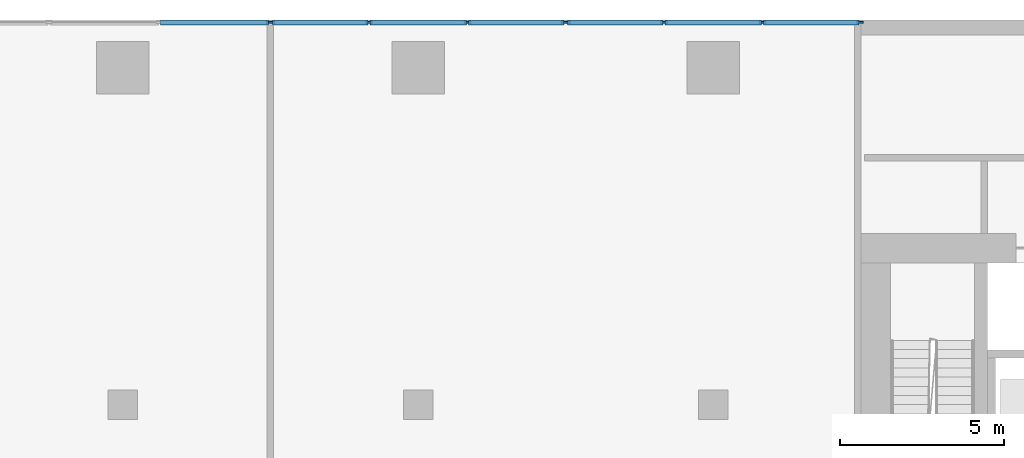
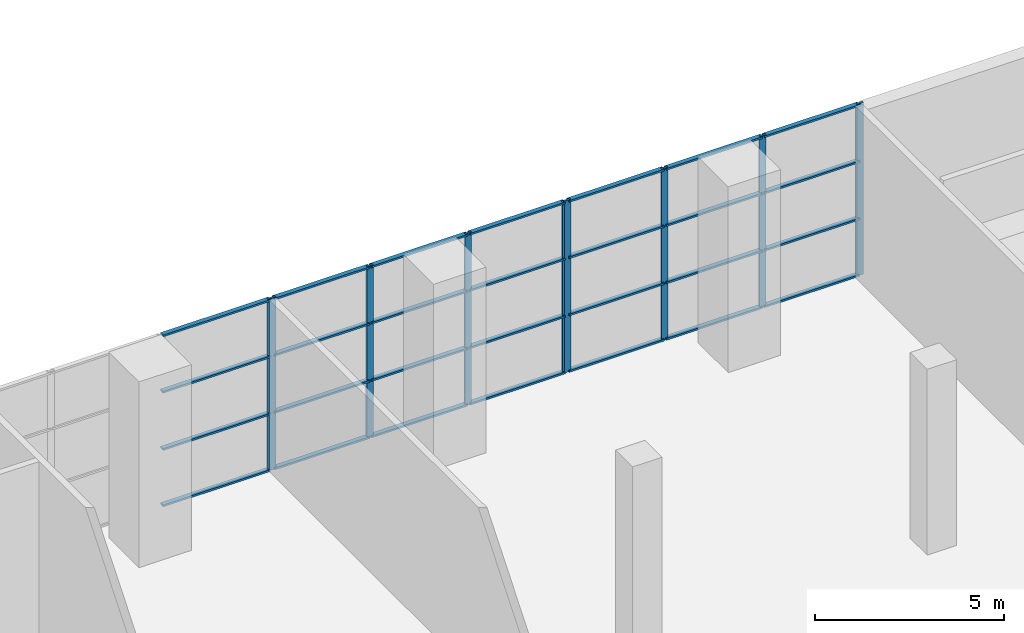
# One storey, part 6 of 27: 37 members, 3 elements without a shape of their own.
"""IFC4 building model written with IfcOpenShell, lengths in metres."""

from ifc_helpers import new_model, si_unit, direction, frame, origin, origin_2d, place, context, subcontext, project, spatial, rectangle, extrude, material, material_profile, profile_set, type_object, element, aggregate, save


model = new_model("IFC4")

# Units and contexts
model_context = context("Model", 3, precision=1e-05, world=origin(), true_north=direction((0.0, 1.0)))
body_context = subcontext(model_context, "Body", "Model", "MODEL_VIEW")
ifc_project = project(units=[si_unit("LENGTHUNIT", "METRE"), si_unit("AREAUNIT", "SQUARE_METRE"), si_unit("VOLUMEUNIT", "CUBIC_METRE"), si_unit("PLANEANGLEUNIT", "RADIAN"), si_unit("MASSUNIT", "GRAM", prefix="KILO")], contexts=[model_context])

# Site, building, storey
site_placement = place(None, origin())
site = spatial("IfcSite", under=ifc_project, at=site_placement, CompositionType="ELEMENT")
building_placement = place(site_placement, origin())
building = spatial("IfcBuilding", under=site, at=building_placement, Name="Kajstack Hotel Tower", CompositionType="ELEMENT")
storey_placement = place(building_placement, frame((0.0, 0.0, 11.0)))
storey = spatial("IfcBuildingStorey", under=building, at=storey_placement, Name="L01", CompositionType="ELEMENT", Elevation=11.0)

# Curtain wall, members
ifc_material_1 = material(Name="Aluminium-framed curtain wall, low-iron glass", Category="aluminium")
curtain_wall_type = type_object("IfcCurtainWallType", Name="CW-LOBBY", PredefinedType="NOTDEFINED", material=ifc_material_1)
curtain_wall_1_placement = place(storey_placement, origin())
curtain_wall_1 = element("IfcCurtainWall", 1, at=curtain_wall_1_placement, inside=storey, type_object=curtain_wall_type, Name="Curtain wall CU1 L01-11-02-0", PredefinedType="NOTDEFINED")
ifc_material_2 = material(Name="Aluminium", Category="aluminium")
ifc_material_profile_1 = material_profile(ifc_material_2, rectangle(XDim=0.06005859375, YDim=0.199951171875, at=origin_2d()), Name="Aluminium mullion 60 x 200")
ifc_profile_set_1 = profile_set([ifc_material_profile_1], Name="Aluminium")
member_type_1 = type_object("IfcMemberType", Name="CW-M-LOBBY", PredefinedType="MULLION", material=ifc_profile_set_1)
member_1_placement = place(storey_placement, frame((13.469970703125, 21.925048828125, 0.0), z_axis=(0.0, 0.0, 1.0), x_axis=(0.0, -1.0, 0.0)))
member_1 = element("IfcMember", 2, at=member_1_placement, type_object=member_type_1, Name="CU1 mullion 1", PredefinedType="MULLION", context=body_context, shape_type="SweptSolid", body=[
    extrude(rectangle(XDim=0.06005859375, YDim=0.199951171875, at=origin_2d()), origin(), (0.0, 0.0, 1.0), 5.550048828125),
])
member_2_placement = place(storey_placement, frame((10.5, 21.925048828125, 0.0), z_axis=(0.0, 0.0, 1.0), x_axis=(0.0, -1.0, 0.0)))
member_2 = element("IfcMember", 3, at=member_2_placement, type_object=member_type_1, Name="CU1 mullion 2", PredefinedType="MULLION", context=body_context, shape_type="SweptSolid", body=[
    extrude(rectangle(XDim=0.06005859375, YDim=0.199951171875, at=origin_2d()), origin(), (0.0, 0.0, 1.0), 5.550048828125),
])
member_3_placement = place(storey_placement, frame((7.5, 21.925048828125, 0.0), z_axis=(0.0, 0.0, 1.0), x_axis=(0.0, -1.0, 0.0)))
member_3 = element("IfcMember", 4, at=member_3_placement, type_object=member_type_1, Name="CU1 mullion 3", PredefinedType="MULLION", context=body_context, shape_type="SweptSolid", body=[
    extrude(rectangle(XDim=0.06005859375, YDim=0.199951171875, at=origin_2d()), origin(), (0.0, 0.0, 1.0), 5.550048828125),
])
member_4_placement = place(storey_placement, frame((4.530029296875, 21.925048828125, 0.0), z_axis=(0.0, 0.0, 1.0), x_axis=(0.0, -1.0, 0.0)))
member_4 = element("IfcMember", 5, at=member_4_placement, type_object=member_type_1, Name="CU1 mullion 4", PredefinedType="MULLION", context=body_context, shape_type="SweptSolid", body=[
    extrude(rectangle(XDim=0.06005859375, YDim=0.199951171875, at=origin_2d()), origin(), (0.0, 0.0, 1.0), 5.550048828125),
])

curtain_wall_2_placement = place(storey_placement, origin())
curtain_wall_2 = element("IfcCurtainWall", 6, at=curtain_wall_2_placement, inside=storey, type_object=curtain_wall_type, Name="Curtain wall CU1 L01-11-02-1", PredefinedType="NOTDEFINED")
member_5_placement = place(storey_placement, frame((4.469970703125, 21.925048828125, 0.0), z_axis=(0.0, 0.0, 1.0), x_axis=(0.0, -1.0, 0.0)))
member_5 = element("IfcMember", 7, at=member_5_placement, type_object=member_type_1, Name="CU1 mullion 1", PredefinedType="MULLION", context=body_context, shape_type="SweptSolid", body=[
    extrude(rectangle(XDim=0.06005859375, YDim=0.199951171875, at=origin_2d()), origin(), (0.0, 0.0, 1.0), 5.550048828125),
])
member_6_placement = place(storey_placement, frame((1.5, 21.925048828125, 0.0), z_axis=(0.0, 0.0, 1.0), x_axis=(0.0, -1.0, 0.0)))
member_6 = element("IfcMember", 8, at=member_6_placement, type_object=member_type_1, Name="CU1 mullion 2", PredefinedType="MULLION", context=body_context, shape_type="SweptSolid", body=[
    extrude(rectangle(XDim=0.06005859375, YDim=0.199951171875, at=origin_2d()), origin(), (0.0, 0.0, 1.0), 5.550048828125),
])
member_7_placement = place(storey_placement, frame((-1.5, 21.925048828125, 0.0), z_axis=(0.0, 0.0, 1.0), x_axis=(0.0, -1.0, 0.0)))
member_7 = element("IfcMember", 9, at=member_7_placement, type_object=member_type_1, Name="CU1 mullion 3", PredefinedType="MULLION", context=body_context, shape_type="SweptSolid", body=[
    extrude(rectangle(XDim=0.06005859375, YDim=0.199951171875, at=origin_2d()), origin(), (0.0, 0.0, 1.0), 5.550048828125),
])
member_8_placement = place(storey_placement, frame((-4.469970703125, 21.925048828125, 0.0), z_axis=(0.0, 0.0, 1.0), x_axis=(0.0, -1.0, 0.0)))
member_8 = element("IfcMember", 10, at=member_8_placement, type_object=member_type_1, Name="CU1 mullion 4", PredefinedType="MULLION", context=body_context, shape_type="SweptSolid", body=[
    extrude(rectangle(XDim=0.06005859375, YDim=0.199951171875, at=origin_2d()), origin(), (0.0, 0.0, 1.0), 5.550048828125),
])

# Curtain wall, member
curtain_wall_3_placement = place(storey_placement, origin())
curtain_wall_3 = element("IfcCurtainWall", 11, at=curtain_wall_3_placement, inside=storey, type_object=curtain_wall_type, Name="Curtain wall CU1 L01-11-02-2", PredefinedType="NOTDEFINED")
member_9_placement = place(storey_placement, frame((-4.530029296875, 21.925048828125, 0.0), z_axis=(0.0, 0.0, 1.0), x_axis=(0.0, -1.0, 0.0)))
member_9 = element("IfcMember", 12, at=member_9_placement, type_object=member_type_1, Name="CU1 mullion 1", PredefinedType="MULLION", context=body_context, shape_type="SweptSolid", body=[
    extrude(rectangle(XDim=0.06005859375, YDim=0.199951171875, at=origin_2d()), origin(), (0.0, 0.0, 1.0), 5.550048828125),
])

# Member
ifc_material_profile_2 = material_profile(ifc_material_2, rectangle(XDim=0.139892578125, YDim=0.06005859375, at=origin_2d()), Name="Aluminium transom 140 x 60")
ifc_profile_set_2 = profile_set([ifc_material_profile_2], Name="Aluminium")
member_type_2 = type_object("IfcMemberType", Name="CW-T-LOBBY", PredefinedType="USERDEFINED", material=ifc_profile_set_2)
member_10_placement = place(storey_placement, frame((13.43994140625, 21.925048828125, 0.030029296875), z_axis=(-1.0, 0.0, 0.0), x_axis=(0.0, -1.0, 0.0)))
member_10 = element("IfcMember", 13, at=member_10_placement, type_object=member_type_2, Name="CU1 transom 1.1", ObjectType="TRANSOM", PredefinedType="USERDEFINED", context=body_context, shape_type="SweptSolid", body=[
    extrude(rectangle(XDim=0.139892578125, YDim=0.06005859375, at=origin_2d()), origin(), (0.0, 0.0, 1.0), 2.909912109375),
])

member_11_placement = place(storey_placement, frame((13.43994140625, 21.925048828125, 1.85009765625), z_axis=(-1.0, 0.0, 0.0), x_axis=(0.0, -1.0, 0.0)))
member_11 = element("IfcMember", 14, at=member_11_placement, type_object=member_type_2, Name="CU1 transom 1.2", ObjectType="TRANSOM", PredefinedType="USERDEFINED", context=body_context, shape_type="SweptSolid", body=[
    extrude(rectangle(XDim=0.139892578125, YDim=0.06005859375, at=origin_2d()), origin(), (0.0, 0.0, 1.0), 2.909912109375),
])

member_12_placement = place(storey_placement, frame((13.43994140625, 21.925048828125, 3.699951171875), z_axis=(-1.0, 0.0, 0.0), x_axis=(0.0, -1.0, 0.0)))
member_12 = element("IfcMember", 15, at=member_12_placement, type_object=member_type_2, Name="CU1 transom 1.3", ObjectType="TRANSOM", PredefinedType="USERDEFINED", context=body_context, shape_type="SweptSolid", body=[
    extrude(rectangle(XDim=0.139892578125, YDim=0.06005859375, at=origin_2d()), origin(), (0.0, 0.0, 1.0), 2.909912109375),
])

member_13_placement = place(storey_placement, frame((13.43994140625, 21.925048828125, 5.52001953125), z_axis=(-1.0, 0.0, 0.0), x_axis=(0.0, -1.0, 0.0)))
member_13 = element("IfcMember", 16, at=member_13_placement, type_object=member_type_2, Name="CU1 transom 1.4", ObjectType="TRANSOM", PredefinedType="USERDEFINED", context=body_context, shape_type="SweptSolid", body=[
    extrude(rectangle(XDim=0.139892578125, YDim=0.06005859375, at=origin_2d()), origin(), (0.0, 0.0, 1.0), 2.909912109375),
])

member_14_placement = place(storey_placement, frame((10.469970703125, 21.925048828125, 0.030029296875), z_axis=(-1.0, 0.0, 0.0), x_axis=(0.0, -1.0, 0.0)))
member_14 = element("IfcMember", 17, at=member_14_placement, type_object=member_type_2, Name="CU1 transom 2.1", ObjectType="TRANSOM", PredefinedType="USERDEFINED", context=body_context, shape_type="SweptSolid", body=[
    extrude(rectangle(XDim=0.139892578125, YDim=0.06005859375, at=origin_2d()), origin(), (0.0, 0.0, 1.0), 2.93994140625),
])

member_15_placement = place(storey_placement, frame((10.469970703125, 21.925048828125, 1.85009765625), z_axis=(-1.0, 0.0, 0.0), x_axis=(0.0, -1.0, 0.0)))
member_15 = element("IfcMember", 18, at=member_15_placement, type_object=member_type_2, Name="CU1 transom 2.2", ObjectType="TRANSOM", PredefinedType="USERDEFINED", context=body_context, shape_type="SweptSolid", body=[
    extrude(rectangle(XDim=0.139892578125, YDim=0.06005859375, at=origin_2d()), origin(), (0.0, 0.0, 1.0), 2.93994140625),
])

member_16_placement = place(storey_placement, frame((10.469970703125, 21.925048828125, 3.699951171875), z_axis=(-1.0, 0.0, 0.0), x_axis=(0.0, -1.0, 0.0)))
member_16 = element("IfcMember", 19, at=member_16_placement, type_object=member_type_2, Name="CU1 transom 2.3", ObjectType="TRANSOM", PredefinedType="USERDEFINED", context=body_context, shape_type="SweptSolid", body=[
    extrude(rectangle(XDim=0.139892578125, YDim=0.06005859375, at=origin_2d()), origin(), (0.0, 0.0, 1.0), 2.93994140625),
])

member_17_placement = place(storey_placement, frame((10.469970703125, 21.925048828125, 5.52001953125), z_axis=(-1.0, 0.0, 0.0), x_axis=(0.0, -1.0, 0.0)))
member_17 = element("IfcMember", 20, at=member_17_placement, type_object=member_type_2, Name="CU1 transom 2.4", ObjectType="TRANSOM", PredefinedType="USERDEFINED", context=body_context, shape_type="SweptSolid", body=[
    extrude(rectangle(XDim=0.139892578125, YDim=0.06005859375, at=origin_2d()), origin(), (0.0, 0.0, 1.0), 2.93994140625),
])

member_18_placement = place(storey_placement, frame((7.469970703125, 21.925048828125, 0.030029296875), z_axis=(-1.0, 0.0, 0.0), x_axis=(0.0, -1.0, 0.0)))
member_18 = element("IfcMember", 21, at=member_18_placement, type_object=member_type_2, Name="CU1 transom 3.1", ObjectType="TRANSOM", PredefinedType="USERDEFINED", context=body_context, shape_type="SweptSolid", body=[
    extrude(rectangle(XDim=0.139892578125, YDim=0.06005859375, at=origin_2d()), origin(), (0.0, 0.0, 1.0), 2.909912109375),
])

member_19_placement = place(storey_placement, frame((7.469970703125, 21.925048828125, 1.85009765625), z_axis=(-1.0, 0.0, 0.0), x_axis=(0.0, -1.0, 0.0)))
member_19 = element("IfcMember", 22, at=member_19_placement, type_object=member_type_2, Name="CU1 transom 3.2", ObjectType="TRANSOM", PredefinedType="USERDEFINED", context=body_context, shape_type="SweptSolid", body=[
    extrude(rectangle(XDim=0.139892578125, YDim=0.06005859375, at=origin_2d()), origin(), (0.0, 0.0, 1.0), 2.909912109375),
])

member_20_placement = place(storey_placement, frame((7.469970703125, 21.925048828125, 3.699951171875), z_axis=(-1.0, 0.0, 0.0), x_axis=(0.0, -1.0, 0.0)))
member_20 = element("IfcMember", 23, at=member_20_placement, type_object=member_type_2, Name="CU1 transom 3.3", ObjectType="TRANSOM", PredefinedType="USERDEFINED", context=body_context, shape_type="SweptSolid", body=[
    extrude(rectangle(XDim=0.139892578125, YDim=0.06005859375, at=origin_2d()), origin(), (0.0, 0.0, 1.0), 2.909912109375),
])

member_21_placement = place(storey_placement, frame((7.469970703125, 21.925048828125, 5.52001953125), z_axis=(-1.0, 0.0, 0.0), x_axis=(0.0, -1.0, 0.0)))
member_21 = element("IfcMember", 24, at=member_21_placement, type_object=member_type_2, Name="CU1 transom 3.4", ObjectType="TRANSOM", PredefinedType="USERDEFINED", context=body_context, shape_type="SweptSolid", body=[
    extrude(rectangle(XDim=0.139892578125, YDim=0.06005859375, at=origin_2d()), origin(), (0.0, 0.0, 1.0), 2.909912109375),
])

aggregate(curtain_wall_1, [member_1, member_2, member_3, member_4, member_10, member_11, member_12, member_13, member_14, member_15, member_16, member_17, member_18, member_19, member_20, member_21])

member_22_placement = place(storey_placement, frame((4.43994140625, 21.925048828125, 0.030029296875), z_axis=(-1.0, 0.0, 0.0), x_axis=(0.0, -1.0, 0.0)))
member_22 = element("IfcMember", 25, at=member_22_placement, type_object=member_type_2, Name="CU1 transom 1.1", ObjectType="TRANSOM", PredefinedType="USERDEFINED", context=body_context, shape_type="SweptSolid", body=[
    extrude(rectangle(XDim=0.139892578125, YDim=0.06005859375, at=origin_2d()), origin(), (0.0, 0.0, 1.0), 2.909912109375),
])

member_23_placement = place(storey_placement, frame((4.43994140625, 21.925048828125, 1.85009765625), z_axis=(-1.0, 0.0, 0.0), x_axis=(0.0, -1.0, 0.0)))
member_23 = element("IfcMember", 26, at=member_23_placement, type_object=member_type_2, Name="CU1 transom 1.2", ObjectType="TRANSOM", PredefinedType="USERDEFINED", context=body_context, shape_type="SweptSolid", body=[
    extrude(rectangle(XDim=0.139892578125, YDim=0.06005859375, at=origin_2d()), origin(), (0.0, 0.0, 1.0), 2.909912109375),
])

member_24_placement = place(storey_placement, frame((4.43994140625, 21.925048828125, 3.699951171875), z_axis=(-1.0, 0.0, 0.0), x_axis=(0.0, -1.0, 0.0)))
member_24 = element("IfcMember", 27, at=member_24_placement, type_object=member_type_2, Name="CU1 transom 1.3", ObjectType="TRANSOM", PredefinedType="USERDEFINED", context=body_context, shape_type="SweptSolid", body=[
    extrude(rectangle(XDim=0.139892578125, YDim=0.06005859375, at=origin_2d()), origin(), (0.0, 0.0, 1.0), 2.909912109375),
])

member_25_placement = place(storey_placement, frame((4.43994140625, 21.925048828125, 5.52001953125), z_axis=(-1.0, 0.0, 0.0), x_axis=(0.0, -1.0, 0.0)))
member_25 = element("IfcMember", 28, at=member_25_placement, type_object=member_type_2, Name="CU1 transom 1.4", ObjectType="TRANSOM", PredefinedType="USERDEFINED", context=body_context, shape_type="SweptSolid", body=[
    extrude(rectangle(XDim=0.139892578125, YDim=0.06005859375, at=origin_2d()), origin(), (0.0, 0.0, 1.0), 2.909912109375),
])

member_26_placement = place(storey_placement, frame((1.469970703125, 21.925048828125, 0.030029296875), z_axis=(-1.0, 0.0, 0.0), x_axis=(0.0, -1.0, 0.0)))
member_26 = element("IfcMember", 29, at=member_26_placement, type_object=member_type_2, Name="CU1 transom 2.1", ObjectType="TRANSOM", PredefinedType="USERDEFINED", context=body_context, shape_type="SweptSolid", body=[
    extrude(rectangle(XDim=0.139892578125, YDim=0.06005859375, at=origin_2d()), origin(), (0.0, 0.0, 1.0), 2.93994140625),
])

member_27_placement = place(storey_placement, frame((1.469970703125, 21.925048828125, 1.85009765625), z_axis=(-1.0, 0.0, 0.0), x_axis=(0.0, -1.0, 0.0)))
member_27 = element("IfcMember", 30, at=member_27_placement, type_object=member_type_2, Name="CU1 transom 2.2", ObjectType="TRANSOM", PredefinedType="USERDEFINED", context=body_context, shape_type="SweptSolid", body=[
    extrude(rectangle(XDim=0.139892578125, YDim=0.06005859375, at=origin_2d()), origin(), (0.0, 0.0, 1.0), 2.93994140625),
])

member_28_placement = place(storey_placement, frame((1.469970703125, 21.925048828125, 3.699951171875), z_axis=(-1.0, 0.0, 0.0), x_axis=(0.0, -1.0, 0.0)))
member_28 = element("IfcMember", 31, at=member_28_placement, type_object=member_type_2, Name="CU1 transom 2.3", ObjectType="TRANSOM", PredefinedType="USERDEFINED", context=body_context, shape_type="SweptSolid", body=[
    extrude(rectangle(XDim=0.139892578125, YDim=0.06005859375, at=origin_2d()), origin(), (0.0, 0.0, 1.0), 2.93994140625),
])

member_29_placement = place(storey_placement, frame((1.469970703125, 21.925048828125, 5.52001953125), z_axis=(-1.0, 0.0, 0.0), x_axis=(0.0, -1.0, 0.0)))
member_29 = element("IfcMember", 32, at=member_29_placement, type_object=member_type_2, Name="CU1 transom 2.4", ObjectType="TRANSOM", PredefinedType="USERDEFINED", context=body_context, shape_type="SweptSolid", body=[
    extrude(rectangle(XDim=0.139892578125, YDim=0.06005859375, at=origin_2d()), origin(), (0.0, 0.0, 1.0), 2.93994140625),
])

member_30_placement = place(storey_placement, frame((-1.530029296875, 21.925048828125, 0.030029296875), z_axis=(-1.0, 0.0, 0.0), x_axis=(0.0, -1.0, 0.0)))
member_30 = element("IfcMember", 33, at=member_30_placement, type_object=member_type_2, Name="CU1 transom 3.1", ObjectType="TRANSOM", PredefinedType="USERDEFINED", context=body_context, shape_type="SweptSolid", body=[
    extrude(rectangle(XDim=0.139892578125, YDim=0.06005859375, at=origin_2d()), origin(), (0.0, 0.0, 1.0), 2.909912109375),
])

member_31_placement = place(storey_placement, frame((-1.530029296875, 21.925048828125, 1.85009765625), z_axis=(-1.0, 0.0, 0.0), x_axis=(0.0, -1.0, 0.0)))
member_31 = element("IfcMember", 34, at=member_31_placement, type_object=member_type_2, Name="CU1 transom 3.2", ObjectType="TRANSOM", PredefinedType="USERDEFINED", context=body_context, shape_type="SweptSolid", body=[
    extrude(rectangle(XDim=0.139892578125, YDim=0.06005859375, at=origin_2d()), origin(), (0.0, 0.0, 1.0), 2.909912109375),
])

member_32_placement = place(storey_placement, frame((-1.530029296875, 21.925048828125, 3.699951171875), z_axis=(-1.0, 0.0, 0.0), x_axis=(0.0, -1.0, 0.0)))
member_32 = element("IfcMember", 35, at=member_32_placement, type_object=member_type_2, Name="CU1 transom 3.3", ObjectType="TRANSOM", PredefinedType="USERDEFINED", context=body_context, shape_type="SweptSolid", body=[
    extrude(rectangle(XDim=0.139892578125, YDim=0.06005859375, at=origin_2d()), origin(), (0.0, 0.0, 1.0), 2.909912109375),
])

member_33_placement = place(storey_placement, frame((-1.530029296875, 21.925048828125, 5.52001953125), z_axis=(-1.0, 0.0, 0.0), x_axis=(0.0, -1.0, 0.0)))
member_33 = element("IfcMember", 36, at=member_33_placement, type_object=member_type_2, Name="CU1 transom 3.4", ObjectType="TRANSOM", PredefinedType="USERDEFINED", context=body_context, shape_type="SweptSolid", body=[
    extrude(rectangle(XDim=0.139892578125, YDim=0.06005859375, at=origin_2d()), origin(), (0.0, 0.0, 1.0), 2.909912109375),
])

aggregate(curtain_wall_2, [member_5, member_6, member_7, member_8, member_22, member_23, member_24, member_25, member_26, member_27, member_28, member_29, member_30, member_31, member_32, member_33])

member_34_placement = place(storey_placement, frame((-4.56005859375, 21.925048828125, 0.030029296875), z_axis=(-1.0, 0.0, 0.0), x_axis=(0.0, -1.0, 0.0)))
member_34 = element("IfcMember", 37, at=member_34_placement, type_object=member_type_2, Name="CU1 transom 1.1", ObjectType="TRANSOM", PredefinedType="USERDEFINED", context=body_context, shape_type="SweptSolid", body=[
    extrude(rectangle(XDim=0.139892578125, YDim=0.06005859375, at=origin_2d()), origin(), (0.0, 0.0, 1.0), 3.284912109375),
])

member_35_placement = place(storey_placement, frame((-4.56005859375, 21.925048828125, 1.85009765625), z_axis=(-1.0, 0.0, 0.0), x_axis=(0.0, -1.0, 0.0)))
member_35 = element("IfcMember", 38, at=member_35_placement, type_object=member_type_2, Name="CU1 transom 1.2", ObjectType="TRANSOM", PredefinedType="USERDEFINED", context=body_context, shape_type="SweptSolid", body=[
    extrude(rectangle(XDim=0.139892578125, YDim=0.06005859375, at=origin_2d()), origin(), (0.0, 0.0, 1.0), 3.284912109375),
])

member_36_placement = place(storey_placement, frame((-4.56005859375, 21.925048828125, 3.699951171875), z_axis=(-1.0, 0.0, 0.0), x_axis=(0.0, -1.0, 0.0)))
member_36 = element("IfcMember", 39, at=member_36_placement, type_object=member_type_2, Name="CU1 transom 1.3", ObjectType="TRANSOM", PredefinedType="USERDEFINED", context=body_context, shape_type="SweptSolid", body=[
    extrude(rectangle(XDim=0.139892578125, YDim=0.06005859375, at=origin_2d()), origin(), (0.0, 0.0, 1.0), 3.284912109375),
])

member_37_placement = place(storey_placement, frame((-4.56005859375, 21.925048828125, 5.52001953125), z_axis=(-1.0, 0.0, 0.0), x_axis=(0.0, -1.0, 0.0)))
member_37 = element("IfcMember", 40, at=member_37_placement, type_object=member_type_2, Name="CU1 transom 1.4", ObjectType="TRANSOM", PredefinedType="USERDEFINED", context=body_context, shape_type="SweptSolid", body=[
    extrude(rectangle(XDim=0.139892578125, YDim=0.06005859375, at=origin_2d()), origin(), (0.0, 0.0, 1.0), 3.284912109375),
])

aggregate(curtain_wall_3, [member_9, member_34, member_35, member_36, member_37])

save(model, "model.ifc")
